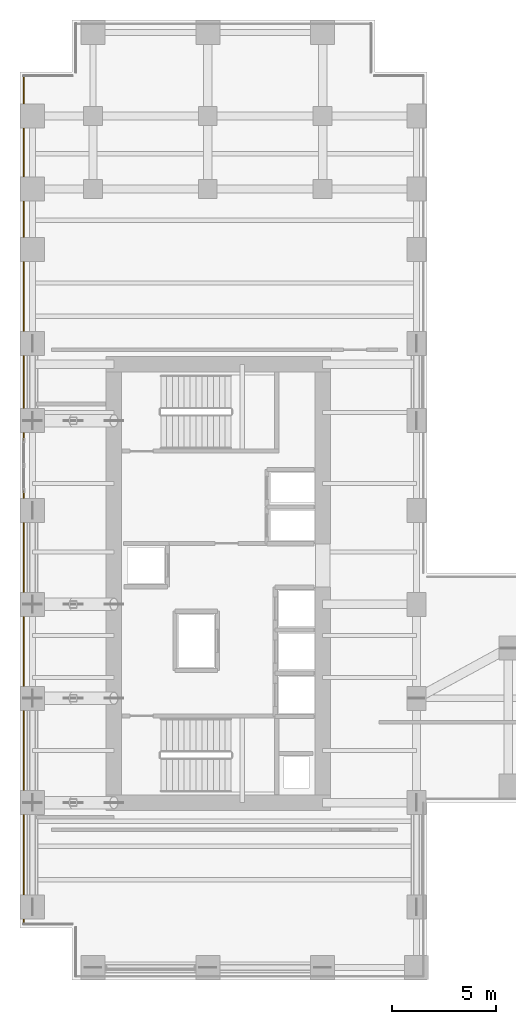
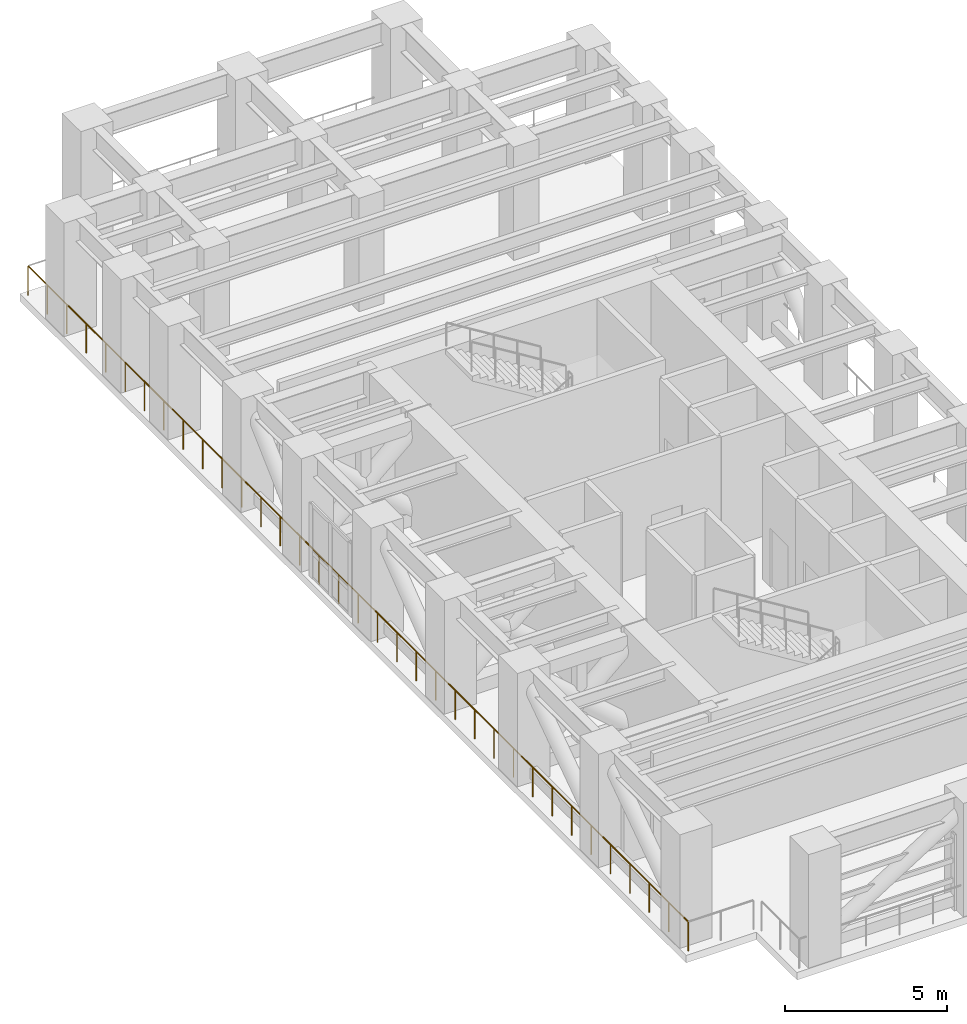
# One storey, part 13 of 16: 1 railing.
"""IFC4 building model written with IfcOpenShell, lengths in metres."""

from ifc_helpers import new_model, si_unit, direction, frame, origin, origin_2d, place, context, subcontext, project, spatial, circle, extrude, source, transform, mapped, material, layer, layer_set, type_object, element, save


model = new_model("IFC4")

# Units and contexts
model_context = context("Model", 3, precision=1e-05, world=origin(), true_north=direction((0.0, 1.0)))
body_context = subcontext(model_context, "Body", "Model", "MODEL_VIEW")
ifc_project = project(units=[si_unit("LENGTHUNIT", "METRE"), si_unit("AREAUNIT", "SQUARE_METRE"), si_unit("VOLUMEUNIT", "CUBIC_METRE"), si_unit("PLANEANGLEUNIT", "RADIAN"), si_unit("MASSUNIT", "GRAM", prefix="KILO")], contexts=[model_context])

# Site, building, storey
site_placement = place(None, origin())
site = spatial("IfcSite", under=ifc_project, at=site_placement, CompositionType="ELEMENT")
building_placement = place(site_placement, origin())
building = spatial("IfcBuilding", under=site, at=building_placement, Name="Kharzan Plaza Tower", CompositionType="ELEMENT")
storey_placement = place(building_placement, frame((0.0, 0.0, 138.60009765625)))
storey = spatial("IfcBuildingStorey", under=building, at=storey_placement, Name="L37", CompositionType="ELEMENT", Elevation=138.60009765625)

# Railing
ifc_material = material(Name="Painted Galvanized Architectural Steel", Category="steel")
ifc_layer = layer(ifc_material, 0.074951171875)
ifc_layer_set = layer_set([ifc_layer], Name="Painted Galvanized Architectural Steel")
railing_type = type_object("IfcRailingType", Name="RL-GUARD-1120", PredefinedType="BALUSTRADE", material=ifc_layer_set)
shared_shape = source(origin(), body_context, "Body", "SweptSolid", [
    extrude(circle(Radius=0.02392578125, at=origin_2d()), frame((0.0, 0.0263671875, 1.09619140625), z_axis=(0.0, 1.0, 0.0), x_axis=(-1.0, 0.0, 0.0)), (0.0, 0.0, 1.0), 40.587158203125),
    extrude(circle(Radius=0.02099609375, at=origin_2d()), origin(), (0.0, 0.0, 1.0), 1.072021484375),
    extrude(circle(Radius=0.02099609375, at=origin_2d()), frame((0.0, 1.1953125, 0.0)), (0.0, 0.0, 1.0), 1.072021484375),
    extrude(circle(Radius=0.02099609375, at=origin_2d()), frame((0.0, 2.390625, 0.0)), (0.0, 0.0, 1.0), 1.072021484375),
    extrude(circle(Radius=0.02099609375, at=origin_2d()), frame((0.0, 3.5859375, 0.0)), (0.0, 0.0, 1.0), 1.072021484375),
    extrude(circle(Radius=0.02099609375, at=origin_2d()), frame((0.0, 4.78125, 0.0)), (0.0, 0.0, 1.0), 1.072021484375),
    extrude(circle(Radius=0.02099609375, at=origin_2d()), frame((0.0, 5.9765625, 0.0)), (0.0, 0.0, 1.0), 1.072021484375),
    extrude(circle(Radius=0.02099609375, at=origin_2d()), frame((0.0, 7.171875, 0.0)), (0.0, 0.0, 1.0), 1.072021484375),
    extrude(circle(Radius=0.02099609375, at=origin_2d()), frame((0.0, 8.3671875, 0.0)), (0.0, 0.0, 1.0), 1.072021484375),
    extrude(circle(Radius=0.02099609375, at=origin_2d()), frame((0.0, 9.5625, 0.0)), (0.0, 0.0, 1.0), 1.072021484375),
    extrude(circle(Radius=0.02099609375, at=origin_2d()), frame((0.0, 10.757568359375, 0.0)), (0.0, 0.0, 1.0), 1.072021484375),
    extrude(circle(Radius=0.02099609375, at=origin_2d()), frame((0.0, 11.952880859375, 0.0)), (0.0, 0.0, 1.0), 1.072021484375),
    extrude(circle(Radius=0.02099609375, at=origin_2d()), frame((0.0, 13.148193359375, 0.0)), (0.0, 0.0, 1.0), 1.072021484375),
    extrude(circle(Radius=0.02099609375, at=origin_2d()), frame((0.0, 14.343505859375, 0.0)), (0.0, 0.0, 1.0), 1.072021484375),
    extrude(circle(Radius=0.02099609375, at=origin_2d()), frame((0.0, 15.538818359375, 0.0)), (0.0, 0.0, 1.0), 1.072021484375),
    extrude(circle(Radius=0.02099609375, at=origin_2d()), frame((0.0, 16.734130859375, 0.0)), (0.0, 0.0, 1.0), 1.072021484375),
    extrude(circle(Radius=0.02099609375, at=origin_2d()), frame((0.0, 17.929443359375, 0.0)), (0.0, 0.0, 1.0), 1.072021484375),
    extrude(circle(Radius=0.02099609375, at=origin_2d()), frame((0.0, 19.124755859375, 0.0)), (0.0, 0.0, 1.0), 1.072021484375),
    extrude(circle(Radius=0.02099609375, at=origin_2d()), frame((0.0, 20.320068359375, 0.0)), (0.0, 0.0, 1.0), 1.072021484375),
    extrude(circle(Radius=0.02099609375, at=origin_2d()), frame((0.0, 21.515380859375, 0.0)), (0.0, 0.0, 1.0), 1.072021484375),
    extrude(circle(Radius=0.02099609375, at=origin_2d()), frame((0.0, 22.710693359375, 0.0)), (0.0, 0.0, 1.0), 1.072021484375),
    extrude(circle(Radius=0.02099609375, at=origin_2d()), frame((0.0, 23.906005859375, 0.0)), (0.0, 0.0, 1.0), 1.072021484375),
    extrude(circle(Radius=0.02099609375, at=origin_2d()), frame((0.0, 25.101318359375, 0.0)), (0.0, 0.0, 1.0), 1.072021484375),
    extrude(circle(Radius=0.02099609375, at=origin_2d()), frame((0.0, 26.296630859375, 0.0)), (0.0, 0.0, 1.0), 1.072021484375),
    extrude(circle(Radius=0.02099609375, at=origin_2d()), frame((0.0, 27.491943359375, 0.0)), (0.0, 0.0, 1.0), 1.072021484375),
    extrude(circle(Radius=0.02099609375, at=origin_2d()), frame((0.0, 28.687255859375, 0.0)), (0.0, 0.0, 1.0), 1.072021484375),
    extrude(circle(Radius=0.02099609375, at=origin_2d()), frame((0.0, 29.882568359375, 0.0)), (0.0, 0.0, 1.0), 1.072021484375),
    extrude(circle(Radius=0.02099609375, at=origin_2d()), frame((0.0, 31.07763671875, 0.0)), (0.0, 0.0, 1.0), 1.072021484375),
    extrude(circle(Radius=0.02099609375, at=origin_2d()), frame((0.0, 32.27294921875, 0.0)), (0.0, 0.0, 1.0), 1.072021484375),
    extrude(circle(Radius=0.02099609375, at=origin_2d()), frame((0.0, 33.46826171875, 0.0)), (0.0, 0.0, 1.0), 1.072021484375),
    extrude(circle(Radius=0.02099609375, at=origin_2d()), frame((0.0, 34.66357421875, 0.0)), (0.0, 0.0, 1.0), 1.072021484375),
    extrude(circle(Radius=0.02099609375, at=origin_2d()), frame((0.0, 35.85888671875, 0.0)), (0.0, 0.0, 1.0), 1.072021484375),
    extrude(circle(Radius=0.02099609375, at=origin_2d()), frame((0.0, 37.05419921875, 0.0)), (0.0, 0.0, 1.0), 1.072021484375),
    extrude(circle(Radius=0.02099609375, at=origin_2d()), frame((0.0, 38.24951171875, 0.0)), (0.0, 0.0, 1.0), 1.072021484375),
    extrude(circle(Radius=0.02099609375, at=origin_2d()), frame((0.0, 39.44482421875, 0.0)), (0.0, 0.0, 1.0), 1.072021484375),
    extrude(circle(Radius=0.02099609375, at=origin_2d()), frame((0.0, 40.64013671875, 0.0)), (0.0, 0.0, 1.0), 1.072021484375),
])
railing_placement = place(storey_placement, frame((0.179931640625, 2.679931640625, 0.0)))
element("IfcRailing", 1, at=railing_placement, inside=storey, type_object=railing_type, Name="L37 Open Refuge Floor Perimeter Guard 95", PredefinedType="BALUSTRADE", context=body_context, shape_type="MappedRepresentation", body=[
    mapped(shared_shape, transform((0.0, 0.0, 0.0), x_axis=(1.0, 0.0, 0.0), y_axis=(0.0, 1.0, 0.0), z_axis=(0.0, 0.0, 1.0))),
])

save(model, "model.ifc")
